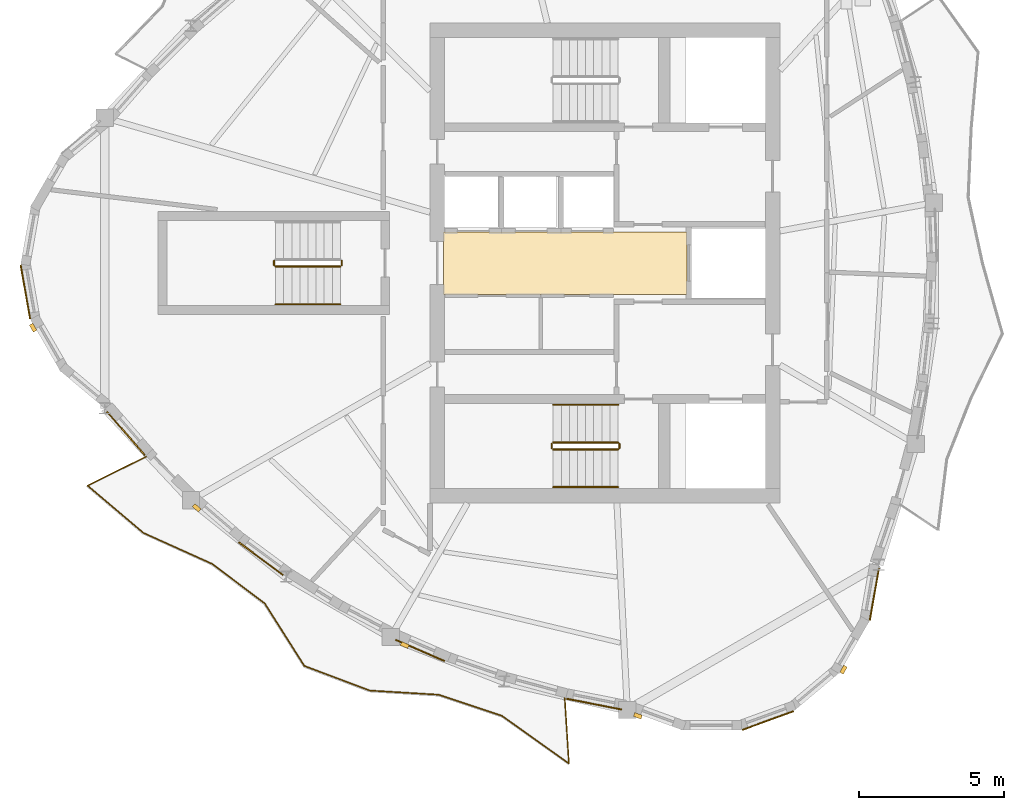
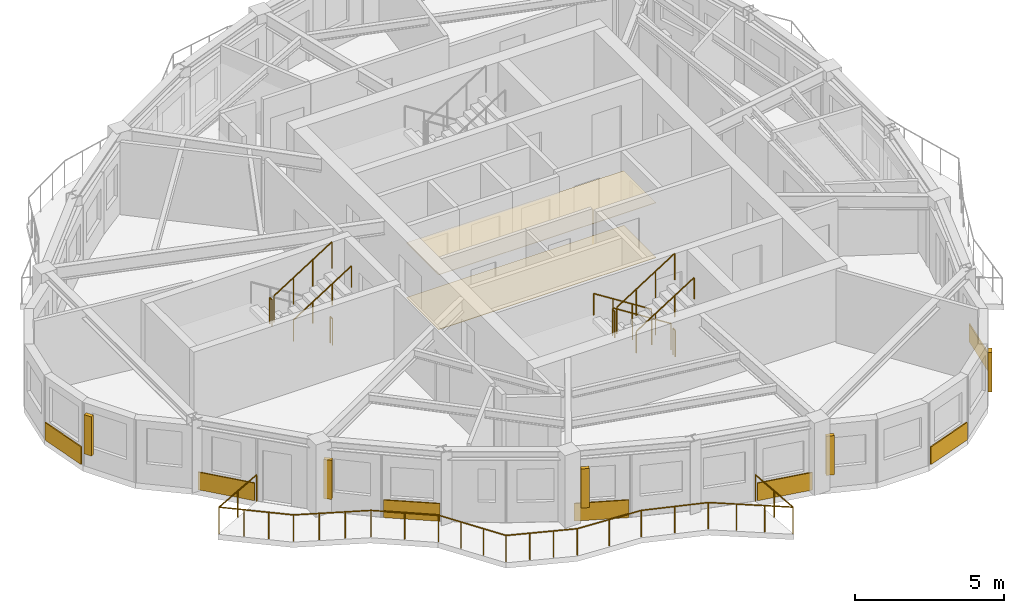
# One storey, part 8 of 11: 11 railings, 9 coverings, 5 shading devices.
"""IFC4 building model written with IfcOpenShell, lengths in metres."""

import ifcopenshell
import ifcopenshell.guid

model = None  # the IFC model being written
_history = None  # IfcOwnerHistory: only IFC2X3 demands one
_inside = {}  # id of a spatial element -> (the spatial element, [elements in it])
_under = {}  # id of a project, library or spatial element -> (it, [spatial elements below it])
_declared = {}  # id of a project -> (the project, [libraries it declares])
_typed = {}  # id of a type object -> (the type object, [elements of that type])
_made_of = {}  # id of a material, layer set ... -> (it, [elements and type objects made of it])


def new_model(schema):
    """Start an empty IFC model of exactly this schema.

    Asked for "IFC4X3", IfcOpenShell would pick the latest addendum, in which some entities
    have other attributes; the version numbers below select the first issue.
    IFC2X3 requires an IfcOwnerHistory on every rooted entity: one is made here for all.
    """
    global model, _history
    if schema == "IFC4X3":
        model = ifcopenshell.file(schema_version=(4, 3, 0, 0))
    else:
        model = ifcopenshell.file(schema=schema)
    _inside.clear()
    _under.clear()
    _declared.clear()
    _typed.clear()
    _made_of.clear()
    _history = None
    if model.schema == "IFC2X3":
        org = make("IfcOrganization", Name="unknown")
        user = make(
            "IfcPersonAndOrganization",
            ThePerson=make("IfcPerson", FamilyName="unknown"),
            TheOrganization=org,
        )
        app = make(
            "IfcApplication",
            ApplicationDeveloper=org,
            Version="unknown",
            ApplicationFullName="unknown",
            ApplicationIdentifier="unknown",
        )
        _history = make(
            "IfcOwnerHistory",
            OwningUser=user,
            OwningApplication=app,
            ChangeAction="ADDED",
            CreationDate=0,
        )
    return model


def make(cls, **values):
    """One entity of the class cls with the attributes given. An attribute that is None is left unset."""
    return model.create_entity(
        cls, **{name: value for name, value in values.items() if value is not None}
    )


def rooted(cls, **values):
    """An entity with a GlobalId (a new one), such as an element, a storey or a relation."""
    return make(cls, GlobalId=ifcopenshell.guid.new(), OwnerHistory=_history, **values)


def si_unit(unit_type, name, prefix=None):
    """IfcSIUnit, for example si_unit("LENGTHUNIT", "METRE", prefix="MILLI")."""
    return make("IfcSIUnit", UnitType=unit_type, Prefix=prefix, Name=name)


def assignment(units):
    """IfcUnitAssignment: the units of a project."""
    return None if units is None else make("IfcUnitAssignment", Units=units)


def point(xyz):
    """IfcCartesianPoint."""
    return None if xyz is None else make("IfcCartesianPoint", Coordinates=xyz)


def direction(xyz):
    """IfcDirection."""
    return None if xyz is None else make("IfcDirection", DirectionRatios=xyz)


def frame(location, z_axis=None, x_axis=None):
    """IfcAxis2Placement3D, a coordinate frame: its origin and axes. An axis left out is left unset."""
    return make(
        "IfcAxis2Placement3D",
        Location=point(location),
        Axis=direction(z_axis),
        RefDirection=direction(x_axis),
    )


def frame_2d(location, x_axis=None):
    """IfcAxis2Placement2D, a coordinate frame in the plane: its origin and x axis."""
    return make(
        "IfcAxis2Placement2D", Location=point(location), RefDirection=direction(x_axis)
    )


def origin():
    """The frame at (0, 0, 0) with its axes left unset."""
    return frame((0.0, 0.0, 0.0))


def origin_2d():
    """The frame at (0, 0) in the plane with its x axis left unset."""
    return frame_2d((0.0, 0.0))


def place(relative_to, where):
    """IfcLocalPlacement: puts the frame where relative to a parent placement (None: the world)."""
    return make(
        "IfcLocalPlacement", PlacementRelTo=relative_to, RelativePlacement=where
    )


def context(
    kind, dimensions, precision=None, world=None, true_north=None, identifier=None
):
    """IfcGeometricRepresentationContext, for example the 3D "Model" context."""
    return make(
        "IfcGeometricRepresentationContext",
        ContextIdentifier=identifier,
        ContextType=kind,
        CoordinateSpaceDimension=dimensions,
        Precision=precision,
        WorldCoordinateSystem=world,
        TrueNorth=true_north,
    )


def subcontext(parent, identifier, kind, view, scale=None):
    """IfcGeometricRepresentationSubContext, for example "Body" below "Model"."""
    return make(
        "IfcGeometricRepresentationSubContext",
        ContextIdentifier=identifier,
        ContextType=kind,
        ParentContext=parent,
        TargetScale=scale,
        TargetView=view,
    )


def project(units=None, contexts=None):
    """IfcProject with its units and contexts."""
    return rooted(
        "IfcProject",
        Name="project",
        RepresentationContexts=contexts,
        UnitsInContext=assignment(units),
    )


def spatial(cls, under=None, at=None, **own):
    """A site, building, storey or space (cls), placed at a placement, below another one or the project."""
    s = rooted(cls, ObjectPlacement=at, **own)
    if under is not None:
        _under.setdefault(under.id(), (under, []))[1].append(s)
    return s


def polyline(points):
    """IfcPolyline through the points."""
    return make("IfcPolyline", Points=[point(p) for p in points])


def profile(cls, at=None, kind="AREA", **sizes):
    """A parametric profile (cls). Its sizes go by their IFC names, for example OverallWidth=200.0."""
    return make(cls, ProfileType=kind, Position=at, **sizes)


def rectangle(**sizes):
    """IfcRectangleProfileDef."""
    return profile("IfcRectangleProfileDef", **sizes)


def circle(**sizes):
    """IfcCircleProfileDef."""
    return profile("IfcCircleProfileDef", **sizes)


def outline(outer, holes=None, kind="AREA"):
    """IfcArbitraryClosedProfileDef: a profile drawn as a closed curve; with holes, ...WithVoids."""
    if holes is None:
        return make("IfcArbitraryClosedProfileDef", ProfileType=kind, OuterCurve=outer)
    return make(
        "IfcArbitraryProfileDefWithVoids",
        ProfileType=kind,
        OuterCurve=outer,
        InnerCurves=holes,
    )


def extrude(swept, where, along, depth):
    """IfcExtrudedAreaSolid: the profile swept, set in the frame where, extruded along a direction by depth."""
    return make(
        "IfcExtrudedAreaSolid",
        SweptArea=swept,
        Position=where,
        ExtrudedDirection=direction(along),
        Depth=depth,
    )


def shape(context_of_items, identifier, shape_type, items):
    """IfcShapeRepresentation: the items that make up one representation, for example the "Body"."""
    return make(
        "IfcShapeRepresentation",
        ContextOfItems=context_of_items,
        RepresentationIdentifier=identifier,
        RepresentationType=shape_type,
        Items=items,
    )


def source(mapping_origin, context_of_items, identifier, shape_type, items):
    """IfcRepresentationMap: a shape defined once, which mapped items show again and again."""
    return make(
        "IfcRepresentationMap",
        MappingOrigin=mapping_origin,
        MappedRepresentation=shape(context_of_items, identifier, shape_type, items),
    )


def transform(
    local_origin,
    x_axis=None,
    y_axis=None,
    z_axis=None,
    scale=None,
    scale2=None,
    scale3=None,
    uniform=True,
):
    """IfcCartesianTransformationOperator3D, or its non-uniform kind. x_axis, y_axis, z_axis: its Axis1, 2, 3."""
    if uniform:
        return make(
            "IfcCartesianTransformationOperator3D",
            Axis1=direction(x_axis),
            Axis2=direction(y_axis),
            LocalOrigin=point(local_origin),
            Scale=scale,
            Axis3=direction(z_axis),
        )
    return make(
        "IfcCartesianTransformationOperator3DnonUniform",
        Axis1=direction(x_axis),
        Axis2=direction(y_axis),
        LocalOrigin=point(local_origin),
        Scale=scale,
        Axis3=direction(z_axis),
        Scale2=scale2,
        Scale3=scale3,
    )


def mapped(mapping_source, mapping_target):
    """IfcMappedItem: shows the shape of a source again, moved by a transform."""
    return make(
        "IfcMappedItem", MappingSource=mapping_source, MappingTarget=mapping_target
    )


def material(Name=None, Category=None):
    """IfcMaterial."""
    return make("IfcMaterial", Name=Name, Category=Category)


def layer(
    of_material, thickness, ventilated=None, Name=None, Category=None, Priority=None
):
    """IfcMaterialLayer: one layer of a wall or slab, of a material (None: an air gap)."""
    return make(
        "IfcMaterialLayer",
        Material=of_material,
        LayerThickness=thickness,
        IsVentilated=ventilated,
        Name=Name,
        Category=Category,
        Priority=Priority,
    )


def layer_set(layers, Name=None):
    """IfcMaterialLayerSet."""
    return make("IfcMaterialLayerSet", MaterialLayers=layers, LayerSetName=Name)


def made_of(thing, what):
    """Note that an element or type object is made of a material, layer set ...; save() writes the relation."""
    if what is not None:
        _made_of.setdefault(what.id(), (what, []))[1].append(thing)
    return thing


def type_object(cls, material=None, **own):
    """A type object (cls), such as IfcWallType, which elements share."""
    return made_of(rooted(cls, **own), material)


def element(
    cls,
    number,
    at=None,
    inside=None,
    cuts=None,
    type_object=None,
    material=None,
    context=None,
    identifier="Body",
    shape_type=None,
    held_by="IfcProductDefinitionShape",
    body=None,
    shapes=None,
    **own,
):
    """One element of the class cls, such as IfcWall. Its Tag is "e" and its number.

    at: its placement. inside: the storey or other place that contains it. cuts: it is an
    opening in that element (IfcRelVoidsElement). A single representation is given by context,
    identifier, shape_type and body (its items); several are given by shapes. held_by: the class
    of the entity that holds the representations. save() writes the other relations.
    """
    e = rooted(cls, Tag="e%d" % number, ObjectPlacement=at, **own)
    if body is not None:
        shapes = [shape(context, identifier, shape_type, body)]
    if shapes is not None:
        e.Representation = make(held_by, Representations=shapes)
    if inside is not None:
        _inside.setdefault(inside.id(), (inside, []))[1].append(e)
    if cuts is not None:
        rooted(
            "IfcRelVoidsElement", RelatingBuildingElement=cuts, RelatedOpeningElement=e
        )
    if type_object is not None:
        _typed.setdefault(type_object.id(), (type_object, []))[1].append(e)
    return made_of(e, material)


def aggregate(whole, parts):
    """IfcRelAggregates: a whole, such as a stair, and the parts it consists of."""
    return rooted("IfcRelAggregates", RelatingObject=whole, RelatedObjects=parts)


def save(model, path):
    """Write the relations noted so far, then the file.

    IfcRelAggregates (storeys below a building ...), IfcRelContainedInSpatialStructure (elements
    in a storey), IfcRelDefinesByType, IfcRelAssociatesMaterial and IfcRelDeclares: one each for
    every whole, place, type object, material and project.
    """
    for whole, parts in _under.values():
        aggregate(whole, parts)
    for where, things in _inside.values():
        rooted(
            "IfcRelContainedInSpatialStructure",
            RelatedElements=things,
            RelatingStructure=where,
        )
    for kind, things in _typed.values():
        rooted("IfcRelDefinesByType", RelatedObjects=things, RelatingType=kind)
    for what, things in _made_of.values():
        rooted("IfcRelAssociatesMaterial", RelatedObjects=things, RelatingMaterial=what)
    for by, libraries in _declared.values():
        rooted("IfcRelDeclares", RelatingContext=by, RelatedDefinitions=libraries)
    model.write(path)


model = new_model("IFC4")

# Units and contexts
model_context = context("Model", 3, precision=1e-05, world=origin(), true_north=direction((0.0, 1.0)))
body_context = subcontext(model_context, "Body", "Model", "MODEL_VIEW")
ifc_project = project(units=[si_unit("LENGTHUNIT", "METRE"), si_unit("AREAUNIT", "SQUARE_METRE"), si_unit("VOLUMEUNIT", "CUBIC_METRE"), si_unit("PLANEANGLEUNIT", "RADIAN"), si_unit("MASSUNIT", "GRAM", prefix="KILO")], contexts=[model_context])

# Site, building, storey
site_placement = place(None, origin())
site = spatial("IfcSite", under=ifc_project, at=site_placement, CompositionType="ELEMENT")
building_placement = place(site_placement, origin())
building = spatial("IfcBuilding", under=site, at=building_placement, Name="Qafzar Sky-Pleat Residences", CompositionType="ELEMENT")
storey_placement = place(building_placement, frame((0.0, 0.0, 230.800048828125)))
storey = spatial("IfcBuildingStorey", under=building, at=storey_placement, Name="L69", CompositionType="ELEMENT", Elevation=230.800048828125)

# Coverings
ifc_material_1 = material(Name="Perforated acoustic gypsum board ceiling")
ifc_layer_1 = layer(ifc_material_1, 0.02001953125)
ifc_layer_set_1 = layer_set([ifc_layer_1], Name="Perforated acoustic gypsum board ceiling")
covering_type_1 = type_object("IfcCoveringType", Name="COV-CEIL-ACOUSTIC", PredefinedType="CEILING", material=ifc_layer_set_1)
covering_1_placement = place(storey_placement, frame((0.0, 0.0, 2.239990234375)))
element("IfcCovering", 1, at=covering_1_placement, inside=storey, type_object=covering_type_1, Name="L69 Passenger Lift Lobby Acoustic Ceiling", PredefinedType="CEILING", context=body_context, shape_type="SweptSolid", body=[
    extrude(outline(polyline([(33.179931640625, 24.919921875), (24.77001953125, 24.919921875), (24.77001953125, 27.080078125), (33.179931640625, 27.080078125), (33.179931640625, 24.919921875)])), origin(), (0.0, 0.0, 1.0), 0.02001953125),
])
ifc_material_2 = material(Name="Honed porcelain and Riyadh stone tile flooring", Category="masonry")
ifc_layer_2 = layer(ifc_material_2, 0.02001953125)
ifc_layer_set_2 = layer_set([ifc_layer_2], Name="Honed porcelain and Riyadh stone tile flooring")
covering_type_2 = type_object("IfcCoveringType", Name="COV-FLR-PORCELAIN", PredefinedType="FLOORING", material=ifc_layer_set_2)
covering_2_placement = place(storey_placement, origin())
element("IfcCovering", 2, at=covering_2_placement, inside=storey, type_object=covering_type_2, Name="L69 Passenger Lift Lobby Honed Stone Flooring", PredefinedType="FLOORING", context=body_context, shape_type="SweptSolid", body=[
    extrude(outline(polyline([(33.179931640625, 24.919921875), (24.77001953125, 24.919921875), (24.77001953125, 27.080078125), (33.179931640625, 27.080078125), (33.179931640625, 24.919921875)])), origin(), (0.0, 0.0, 1.0), 0.02001953125),
])

# Shading devices
ifc_material_3 = material(Name="Honed Riyadh limestone solar fin", Category="masonry")
ifc_layer_3 = layer(ifc_material_3, 0.139892578125)
ifc_layer_set_3 = layer_set([ifc_layer_3], Name="Honed Riyadh limestone solar fin")
shading_device_type = type_object("IfcShadingDeviceType", Name="SHD-FIN-STONE", PredefinedType="SHUTTER", material=ifc_layer_set_3)
shared_shape_1 = source(origin(), body_context, "Body", "SweptSolid", [
    extrude(rectangle(XDim=0.139892578125, YDim=0.280029296875, at=origin_2d()), origin(), (0.0, 0.0, 1.0), 1.60009765625),
])
for number, where, z_axis, x_axis, name in (
    (3, (10.57470703125, 23.765380859375, 0.599853515625), (0.0, 0.0, 1.0), (-0.86604422228, -0.499967403994, 0.0), "L69 Limestone Solar Fin 5"),
    (4, (16.23095703125, 17.536865234375, 0.599853515625), (0.0, 0.0, 1.0), (-0.652875342828, -0.757465369986, 0.0), "L69 Limestone Solar Fin 9"),
    (5, (23.426025390625, 12.7900390625, 0.599853515625), (0.0, 0.0, 1.0), (-0.398679090414, -0.917090498733, 0.0), "L69 Limestone Solar Fin 13"),
    (6, (31.48681640625, 10.343994140625, 0.599853515625), (0.0, 0.0, 1.0), (-0.342053959704, -0.939680311942, 0.0), "L69 Limestone Solar Fin 17"),
    (7, (38.59814453125, 11.940185546875, 0.599853515625), (0.0, 0.0, 1.0), (0.86603181203, -0.499988900429, 0.0), "L69 Limestone Solar Fin 21"),
):
    element("IfcShadingDevice", number, at=place(storey_placement, frame(where, z_axis=z_axis, x_axis=x_axis)), inside=storey, type_object=shading_device_type, Name=name, PredefinedType="SHUTTER", context=body_context, shape_type="MappedRepresentation", body=[
        mapped(shared_shape_1, transform((0.0, 0.0, 0.0), x_axis=(1.0, 0.0, 0.0), y_axis=(0.0, 1.0, 0.0), z_axis=(0.0, 0.0, 1.0), scale=1.0)),
    ])

# Coverings
ifc_material_4 = material(Name="Honed Riyadh Tuwaiq limestone cladding", Category="masonry")
ifc_layer_4 = layer(ifc_material_4, 0.044921875)
ifc_layer_set_4 = layer_set([ifc_layer_4], Name="Honed Riyadh Tuwaiq limestone cladding")
covering_type_3 = type_object("IfcCoveringType", Name="COV-CLAD-STONE", PredefinedType="CLADDING", material=ifc_layer_set_4)
shared_shape_2 = source(origin(), body_context, "Body", "SweptSolid", [
    extrude(rectangle(XDim=1.88134765625, YDim=0.044921875, at=origin_2d()), origin(), (0.0, 0.0, 1.0), 0.719970703125),
])
for number, where, z_axis, x_axis, name in (
    (8, (10.308349609375, 25.00439453125, 0.02001953125), (0.0, 0.0, 1.0), (0.173662519465, -0.984805224059, 0.0), "L69 Riyadh Limestone Spandrel Cladding 4"),
    (9, (35.983642578125, 10.1806640625, 0.02001953125), (0.0, 0.0, 1.0), (0.939694209735, 0.342015777694, 0.0), "L69 Riyadh Limestone Spandrel Cladding 19"),
):
    element("IfcCovering", number, at=place(storey_placement, frame(where, z_axis=z_axis, x_axis=x_axis)), inside=storey, type_object=covering_type_3, Name=name, PredefinedType="CLADDING", context=body_context, shape_type="MappedRepresentation", body=[
        mapped(shared_shape_2, transform((0.0, 0.0, 0.0), x_axis=(1.0, 0.0, 0.0), y_axis=(0.0, 1.0, 0.0), z_axis=(0.0, 0.0, 1.0), scale=1.0)),
    ])
shared_shape_3 = source(origin(), body_context, "Body", "SweptSolid", [
    extrude(rectangle(XDim=1.8291015625, YDim=0.044921875, at=origin_2d()), origin(), (0.0, 0.0, 1.0), 0.719970703125),
])
covering_3_placement = place(storey_placement, frame((39.664306640625, 14.54443359375, 0.02001953125), z_axis=(0.0, 0.0, 1.0), x_axis=(0.173695508338, 0.984799406165, 0.0)))
element("IfcCovering", 10, at=covering_3_placement, inside=storey, type_object=covering_type_3, Name="L69 Riyadh Limestone Spandrel Cladding 22", PredefinedType="CLADDING", context=body_context, shape_type="MappedRepresentation", body=[
    mapped(shared_shape_3, transform((0.0, 0.0, 0.0), x_axis=(1.0, 0.0, 0.0), y_axis=(0.0, 1.0, 0.0), z_axis=(0.0, 0.0, 1.0), scale=1.0)),
])

# Railing
ifc_material_5 = material(Name="Laminated glass and bronze steel balustrade", Category="steel")
railing_type_1 = type_object("IfcRailingType", Name="RAIL-BAL-1100", PredefinedType="BALUSTRADE", material=ifc_material_5)
shared_shape_4 = source(origin(), body_context, "Body", "SweptSolid", [
    extrude(circle(Radius=0.02392578125, at=origin_2d()), frame((0.0, 0.0, 1.076171875), z_axis=(-0.896055493249, -0.44394206043, 0.0), x_axis=(0.44394206043, -0.896055493249, 0.0)), (0.0, 0.0, 1.0), 2.270751953125),
    extrude(circle(Radius=0.02392578125, at=origin_2d()), frame((-2.03466796875, -1.008056640625, 1.076171875), z_axis=(0.763404563516, -0.6459206394, 0.0), x_axis=(0.6459206394, 0.763404563516, 0.0)), (0.0, 0.0, 1.0), 2.533203125),
    extrude(circle(Radius=0.02392578125, at=origin_2d()), frame((-0.100830078125, -2.644287109375, 1.076171875), z_axis=(0.911932022552, -0.41034130458, 0.0), x_axis=(0.41034130458, 0.911932022552, 0.0)), (0.0, 0.0, 1.0), 2.60595703125),
    extrude(circle(Radius=0.02392578125, at=origin_2d()), frame((2.275634765625, -3.713623046875, 1.076171875), z_axis=(0.798633626222, -0.601817523064, 0.0), x_axis=(0.601817523064, 0.798633626222, 0.0)), (0.0, 0.0, 1.0), 2.276123046875),
    extrude(circle(Radius=0.02392578125, at=origin_2d()), frame((4.093505859375, -5.08349609375, 1.076171875), z_axis=(0.535379213772, -0.844611802819, 0.0), x_axis=(0.844611802819, 0.535379213772, 0.0)), (0.0, 0.0, 1.0), 2.556396484375),
    extrude(circle(Radius=0.02392578125, at=origin_2d()), frame((5.462158203125, -7.24267578125, 1.076171875), z_axis=(0.936038381096, -0.351897924285, 0.0), x_axis=(0.351897924285, 0.936038381096, 0.0)), (0.0, 0.0, 1.0), 2.417724609375),
    extrude(circle(Radius=0.02392578125, at=origin_2d()), frame((7.725341796875, -8.093505859375, 1.076171875), z_axis=(0.998177268218, -0.06035015504, 0.0), x_axis=(0.06035015504, 0.998177268218, 0.0)), (0.0, 0.0, 1.0), 2.390869140625),
    extrude(circle(Radius=0.02392578125, at=origin_2d()), frame((10.11181640625, -8.23779296875, 1.076171875), z_axis=(0.948651373589, -0.316323523293, 0.0), x_axis=(0.316323523293, 0.948651373589, 0.0)), (0.0, 0.0, 1.0), 2.294677734375),
    extrude(circle(Radius=0.02392578125, at=origin_2d()), frame((12.28857421875, -8.963623046875, 1.076171875), z_axis=(0.8144156978, -0.58028188941, 0.0), x_axis=(0.58028188941, 0.8144156978, 0.0)), (0.0, 0.0, 1.0), 2.850830078125),
    extrude(circle(Radius=0.02392578125, at=origin_2d()), frame((14.6103515625, -10.617919921875, 1.076171875), z_axis=(-0.063757111536, 0.997965445659, 0.0), x_axis=(-0.997965445659, -0.063757111536, 0.0)), (0.0, 0.0, 1.0), 2.270751953125),
    extrude(circle(Radius=0.02099609375, at=origin_2d()), origin(), (0.0, 0.0, 1.0), 1.052001953125),
    extrude(circle(Radius=0.02099609375, at=origin_2d()), frame((-1.017333984375, -0.50390625, 0.0)), (0.0, 0.0, 1.0), 1.052001953125),
    extrude(circle(Radius=0.02099609375, at=origin_2d()), frame((-2.03466796875, -1.008056640625, 0.0)), (0.0, 0.0, 1.0), 1.052001953125),
    extrude(circle(Radius=0.02099609375, at=origin_2d()), frame((-1.39013671875, -1.553466796875, 0.0)), (0.0, 0.0, 1.0), 1.052001953125),
    extrude(circle(Radius=0.02099609375, at=origin_2d()), frame((-0.745361328125, -2.098876953125, 0.0)), (0.0, 0.0, 1.0), 1.052001953125),
    extrude(circle(Radius=0.02099609375, at=origin_2d()), frame((-0.100830078125, -2.644287109375, 0.0)), (0.0, 0.0, 1.0), 1.052001953125),
    extrude(circle(Radius=0.02099609375, at=origin_2d()), frame((0.69140625, -3.000732421875, 0.0)), (0.0, 0.0, 1.0), 1.052001953125),
    extrude(circle(Radius=0.02099609375, at=origin_2d()), frame((1.4833984375, -3.357177734375, 0.0)), (0.0, 0.0, 1.0), 1.052001953125),
    extrude(circle(Radius=0.02099609375, at=origin_2d()), frame((2.275634765625, -3.713623046875, 0.0)), (0.0, 0.0, 1.0), 1.052001953125),
    extrude(circle(Radius=0.02099609375, at=origin_2d()), frame((3.1845703125, -4.3984375, 0.0)), (0.0, 0.0, 1.0), 1.052001953125),
    extrude(circle(Radius=0.02099609375, at=origin_2d()), frame((4.093505859375, -5.08349609375, 0.0)), (0.0, 0.0, 1.0), 1.052001953125),
    extrude(circle(Radius=0.02099609375, at=origin_2d()), frame((4.5498046875, -5.80322265625, 0.0)), (0.0, 0.0, 1.0), 1.052001953125),
    extrude(circle(Radius=0.02099609375, at=origin_2d()), frame((5.005859375, -6.52294921875, 0.0)), (0.0, 0.0, 1.0), 1.052001953125),
    extrude(circle(Radius=0.02099609375, at=origin_2d()), frame((5.462158203125, -7.24267578125, 0.0)), (0.0, 0.0, 1.0), 1.052001953125),
    extrude(circle(Radius=0.02099609375, at=origin_2d()), frame((6.216552734375, -7.5263671875, 0.0)), (0.0, 0.0, 1.0), 1.052001953125),
    extrude(circle(Radius=0.02099609375, at=origin_2d()), frame((6.970947265625, -7.809814453125, 0.0)), (0.0, 0.0, 1.0), 1.052001953125),
    extrude(circle(Radius=0.02099609375, at=origin_2d()), frame((7.725341796875, -8.093505859375, 0.0)), (0.0, 0.0, 1.0), 1.052001953125),
    extrude(circle(Radius=0.02099609375, at=origin_2d()), frame((8.91845703125, -8.16552734375, 0.0)), (0.0, 0.0, 1.0), 1.052001953125),
    extrude(circle(Radius=0.02099609375, at=origin_2d()), frame((10.11181640625, -8.23779296875, 0.0)), (0.0, 0.0, 1.0), 1.052001953125),
    extrude(circle(Radius=0.02099609375, at=origin_2d()), frame((11.2001953125, -8.6005859375, 0.0)), (0.0, 0.0, 1.0), 1.052001953125),
    extrude(circle(Radius=0.02099609375, at=origin_2d()), frame((12.28857421875, -8.963623046875, 0.0)), (0.0, 0.0, 1.0), 1.052001953125),
    extrude(circle(Radius=0.02099609375, at=origin_2d()), frame((13.0625, -9.51513671875, 0.0)), (0.0, 0.0, 1.0), 1.052001953125),
    extrude(circle(Radius=0.02099609375, at=origin_2d()), frame((13.83642578125, -10.06640625, 0.0)), (0.0, 0.0, 1.0), 1.052001953125),
    extrude(circle(Radius=0.02099609375, at=origin_2d()), frame((14.6103515625, -10.617919921875, 0.0)), (0.0, 0.0, 1.0), 1.052001953125),
    extrude(circle(Radius=0.02099609375, at=origin_2d()), frame((14.5380859375, -9.48486328125, 0.0)), (0.0, 0.0, 1.0), 1.052001953125),
    extrude(circle(Radius=0.02099609375, at=origin_2d()), frame((14.465576171875, -8.351806640625, 0.0)), (0.0, 0.0, 1.0), 1.052001953125),
])
railing_1_placement = place(storey_placement, frame((14.494140625, 19.310791015625, 0.0)))
element("IfcRailing", 11, at=railing_1_placement, inside=storey, type_object=railing_type_1, Name="L69 Pleated Balcony 3 Balustrade", PredefinedType="BALUSTRADE", context=body_context, shape_type="MappedRepresentation", body=[
    mapped(shared_shape_4, transform((0.0, 0.0, 0.0), x_axis=(1.0, 0.0, 0.0), y_axis=(0.0, 1.0, 0.0), z_axis=(0.0, 0.0, 1.0), scale=1.0)),
])

# Coverings
shared_shape_5 = source(origin(), body_context, "Body", "SweptSolid", [
    extrude(rectangle(XDim=2.00048828125, YDim=0.044921875, at=origin_2d()), origin(), (0.0, 0.0, 1.0), 0.719970703125),
])
covering_4_placement = place(storey_placement, frame((13.782470703125, 20.1103515625, 0.02001953125), z_axis=(0.0, 0.0, 1.0), x_axis=(0.657596459069, -0.753370358469, 0.0)))
element("IfcCovering", 12, at=covering_4_placement, inside=storey, type_object=covering_type_3, Name="L69 Riyadh Limestone Spandrel Cladding 7", PredefinedType="CLADDING", context=body_context, shape_type="MappedRepresentation", body=[
    mapped(shared_shape_5, transform((0.0, 0.0, 0.0), x_axis=(1.0, 0.0, 0.0), y_axis=(0.0, 1.0, 0.0), z_axis=(0.0, 0.0, 1.0), scale=1.0)),
])
shared_shape_6 = source(origin(), body_context, "Body", "SweptSolid", [
    extrude(rectangle(XDim=1.906005859375, YDim=0.044921875, at=origin_2d()), origin(), (0.0, 0.0, 1.0), 0.719970703125),
])
covering_5_placement = place(storey_placement, frame((18.4501953125, 15.781005859375, 0.02001953125), z_axis=(0.0, 0.0, 1.0), x_axis=(0.803836480524, -0.594850327879, 0.0)))
element("IfcCovering", 13, at=covering_5_placement, inside=storey, type_object=covering_type_3, Name="L69 Riyadh Limestone Spandrel Cladding 10", PredefinedType="CLADDING", context=body_context, shape_type="MappedRepresentation", body=[
    mapped(shared_shape_6, transform((0.0, 0.0, 0.0), x_axis=(1.0, 0.0, 0.0), y_axis=(0.0, 1.0, 0.0), z_axis=(0.0, 0.0, 1.0), scale=1.0)),
])
shared_shape_7 = source(origin(), body_context, "Body", "SweptSolid", [
    extrude(rectangle(XDim=1.843017578125, YDim=0.044921875, at=origin_2d()), origin(), (0.0, 0.0, 1.0), 0.719970703125),
])
covering_6_placement = place(storey_placement, frame((23.956787109375, 12.606201171875, 0.02001953125), z_axis=(0.0, 0.0, 1.0), x_axis=(0.917084030907, -0.39869396817, 0.0)))
element("IfcCovering", 14, at=covering_6_placement, inside=storey, type_object=covering_type_3, Name="L69 Riyadh Limestone Spandrel Cladding 13", PredefinedType="CLADDING", context=body_context, shape_type="MappedRepresentation", body=[
    mapped(shared_shape_7, transform((0.0, 0.0, 0.0), x_axis=(1.0, 0.0, 0.0), y_axis=(0.0, 1.0, 0.0), z_axis=(0.0, 0.0, 1.0), scale=1.0)),
])
shared_shape_8 = source(origin(), body_context, "Body", "SweptSolid", [
    extrude(rectangle(XDim=1.9375, YDim=0.044921875, at=origin_2d()), origin(), (0.0, 0.0, 1.0), 0.719970703125),
])
covering_7_placement = place(storey_placement, frame((29.9736328125, 10.749267578125, 0.02001953125), z_axis=(0.0, 0.0, 1.0), x_axis=(0.981234384678, -0.192818781048, 0.0)))
element("IfcCovering", 15, at=covering_7_placement, inside=storey, type_object=covering_type_3, Name="L69 Riyadh Limestone Spandrel Cladding 16", PredefinedType="CLADDING", context=body_context, shape_type="MappedRepresentation", body=[
    mapped(shared_shape_8, transform((0.0, 0.0, 0.0), x_axis=(1.0, 0.0, 0.0), y_axis=(0.0, 1.0, 0.0), z_axis=(0.0, 0.0, 1.0), scale=1.0)),
])

# Railings
ifc_material_6 = material(Name="Painted Steel S355 stair guardrail", Category="steel")
railing_type_2 = type_object("IfcRailingType", Name="RAIL-STAIR-GUARD", PredefinedType="GUARDRAIL", material=ifc_material_6)
shared_shape_9 = source(origin(), body_context, "Body", "SweptSolid", [
    extrude(circle(Radius=0.02392578125, at=origin_2d()), frame((0.0, 0.0, 1.076171875), z_axis=(0.0, -1.0, 0.0), x_axis=(1.0, 0.0, 0.0)), (0.0, 0.0, 1.0), 0.14990234375),
    extrude(circle(Radius=0.02099609375, at=origin_2d()), origin(), (0.0, 0.0, 1.0), 1.052001953125),
    extrude(circle(Radius=0.02099609375, at=origin_2d()), frame((0.0, -0.14990234375, 0.0)), (0.0, 0.0, 1.0), 1.052001953125),
])
for number, where, name in (
    (16, (28.510009765625, 19.75, 1.599853515625), "L69 ST1 stair guard 2"),
    (17, (30.85009765625, 19.75, 0.0), "L69 ST1 stair guard 4"),
    (18, (18.909912109375, 26.074951171875, 1.599853515625), "L69 ST3 stair guard 2"),
    (19, (21.25, 26.074951171875, 0.0), "L69 ST3 stair guard 4"),
):
    element("IfcRailing", number, at=place(storey_placement, frame(where)), inside=storey, type_object=railing_type_2, Name=name, PredefinedType="GUARDRAIL", context=body_context, shape_type="MappedRepresentation", body=[
        mapped(shared_shape_9, transform((0.0, 0.0, 0.0), x_axis=(1.0, 0.0, 0.0), y_axis=(0.0, 1.0, 0.0), z_axis=(0.0, 0.0, 1.0), scale=1.0)),
    ])
shared_shape_10 = source(origin(), body_context, "Body", "SweptSolid", [
    extrude(circle(Radius=0.02392578125, at=origin_2d()), frame((0.0, 0.0, 1.076171875), z_axis=(-0.8442293374, 0.0, 0.53598211339), x_axis=(0.0, -1.0, 0.0)), (0.0, 0.0, 1.0), 2.6533203125),
    extrude(circle(Radius=0.02099609375, at=origin_2d()), origin(), (0.0, 0.0, 1.0), 1.052001953125),
    extrude(circle(Radius=0.02099609375, at=origin_2d()), frame((-0.74658203125, 0.0, 0.47412109375)), (0.0, 0.0, 1.0), 1.052001953125),
    extrude(circle(Radius=0.02099609375, at=origin_2d()), frame((-1.493408203125, 0.0, 0.947998046875)), (0.0, 0.0, 1.0), 1.052001953125),
    extrude(circle(Radius=0.02099609375, at=origin_2d()), frame((-2.239990234375, 0.0, 1.422119140625)), (0.0, 0.0, 1.0), 1.052001953125),
])
railing_2_placement = place(storey_placement, frame((30.800048828125, 19.800048828125, 0.177734375)))
element("IfcRailing", 20, at=railing_2_placement, inside=storey, type_object=railing_type_2, Name="L69 ST1 stair guard 1", PredefinedType="GUARDRAIL", context=body_context, shape_type="MappedRepresentation", body=[
    mapped(shared_shape_10, transform((0.0, 0.0, 0.0), x_axis=(1.0, 0.0, 0.0), y_axis=(0.0, 1.0, 0.0), z_axis=(0.0, 0.0, 1.0), scale=1.0)),
])
shared_shape_11 = source(origin(), body_context, "Body", "SweptSolid", [
    extrude(circle(Radius=0.02392578125, at=origin_2d()), frame((0.0, 0.0, 1.076171875), z_axis=(0.8442293374, 0.0, 0.53598211339), x_axis=(0.0, 1.0, 0.0)), (0.0, 0.0, 1.0), 2.6533203125),
    extrude(circle(Radius=0.02099609375, at=origin_2d()), origin(), (0.0, 0.0, 1.0), 1.052001953125),
    extrude(circle(Radius=0.02099609375, at=origin_2d()), frame((0.74658203125, 0.0, 0.47412109375)), (0.0, 0.0, 1.0), 1.052001953125),
    extrude(circle(Radius=0.02099609375, at=origin_2d()), frame((1.493408203125, 0.0, 0.947998046875)), (0.0, 0.0, 1.0), 1.052001953125),
    extrude(circle(Radius=0.02099609375, at=origin_2d()), frame((2.239990234375, 0.0, 1.422119140625)), (0.0, 0.0, 1.0), 1.052001953125),
])
for number, where, name in (
    (21, (28.56005859375, 19.550048828125, 1.77783203125), "L69 ST1 stair guard 3"),
    (22, (18.9599609375, 25.875, 1.77783203125), "L69 ST3 stair guard 3"),
):
    element("IfcRailing", number, at=place(storey_placement, frame(where)), inside=storey, type_object=railing_type_2, Name=name, PredefinedType="GUARDRAIL", context=body_context, shape_type="MappedRepresentation", body=[
        mapped(shared_shape_11, transform((0.0, 0.0, 0.0), x_axis=(1.0, 0.0, 0.0), y_axis=(0.0, 1.0, 0.0), z_axis=(0.0, 0.0, 1.0), scale=1.0)),
    ])
ifc_material_7 = material(Name="Brushed stainless steel handrail", Category="steel")
railing_type_3 = type_object("IfcRailingType", Name="RAIL-STAIR-HAND", PredefinedType="HANDRAIL", material=ifc_material_7)
shared_shape_12 = source(origin(), body_context, "Body", "SweptSolid", [
    extrude(circle(Radius=0.02392578125, at=origin_2d()), frame((0.0, 0.0, 0.8759765625), z_axis=(-0.8442293374, 0.0, 0.53598211339), x_axis=(0.0, -1.0, 0.0)), (0.0, 0.0, 1.0), 2.6533203125),
    extrude(circle(Radius=0.02099609375, at=origin_2d()), origin(), (0.0, 0.0, 1.0), 0.851806640625),
    extrude(circle(Radius=0.02099609375, at=origin_2d()), frame((-0.74658203125, 0.0, 0.47412109375)), (0.0, 0.0, 1.0), 0.851806640625),
    extrude(circle(Radius=0.02099609375, at=origin_2d()), frame((-1.493408203125, 0.0, 0.947998046875)), (0.0, 0.0, 1.0), 0.851806640625),
    extrude(circle(Radius=0.02099609375, at=origin_2d()), frame((-2.239990234375, 0.0, 1.422119140625)), (0.0, 0.0, 1.0), 0.851806640625),
])
railing_3_placement = place(storey_placement, frame((30.800048828125, 21.10009765625, 0.177734375)))
element("IfcRailing", 23, at=railing_3_placement, inside=storey, type_object=railing_type_3, Name="L69 ST1 stair handrail 1", PredefinedType="HANDRAIL", context=body_context, shape_type="MappedRepresentation", body=[
    mapped(shared_shape_12, transform((0.0, 0.0, 0.0), x_axis=(1.0, 0.0, 0.0), y_axis=(0.0, 1.0, 0.0), z_axis=(0.0, 0.0, 1.0), scale=1.0)),
])
shared_shape_13 = source(origin(), body_context, "Body", "SweptSolid", [
    extrude(circle(Radius=0.02392578125, at=origin_2d()), frame((0.0, 0.0, 0.8759765625), z_axis=(0.8442293374, 0.0, 0.53598211339), x_axis=(0.0, 1.0, 0.0)), (0.0, 0.0, 1.0), 2.6533203125),
    extrude(circle(Radius=0.02099609375, at=origin_2d()), origin(), (0.0, 0.0, 1.0), 0.851806640625),
    extrude(circle(Radius=0.02099609375, at=origin_2d()), frame((0.74658203125, 0.0, 0.47412109375)), (0.0, 0.0, 1.0), 0.851806640625),
    extrude(circle(Radius=0.02099609375, at=origin_2d()), frame((1.493408203125, 0.0, 0.947998046875)), (0.0, 0.0, 1.0), 0.851806640625),
    extrude(circle(Radius=0.02099609375, at=origin_2d()), frame((2.239990234375, 0.0, 1.422119140625)), (0.0, 0.0, 1.0), 0.851806640625),
])
for number, where, name in (
    (24, (28.56005859375, 18.25, 1.77783203125), "L69 ST1 stair handrail 2"),
    (25, (18.9599609375, 24.574951171875, 1.77783203125), "L69 ST3 stair handrail 2"),
):
    element("IfcRailing", number, at=place(storey_placement, frame(where)), inside=storey, type_object=railing_type_3, Name=name, PredefinedType="HANDRAIL", context=body_context, shape_type="MappedRepresentation", body=[
        mapped(shared_shape_13, transform((0.0, 0.0, 0.0), x_axis=(1.0, 0.0, 0.0), y_axis=(0.0, 1.0, 0.0), z_axis=(0.0, 0.0, 1.0), scale=1.0)),
    ])

save(model, "model.ifc")
